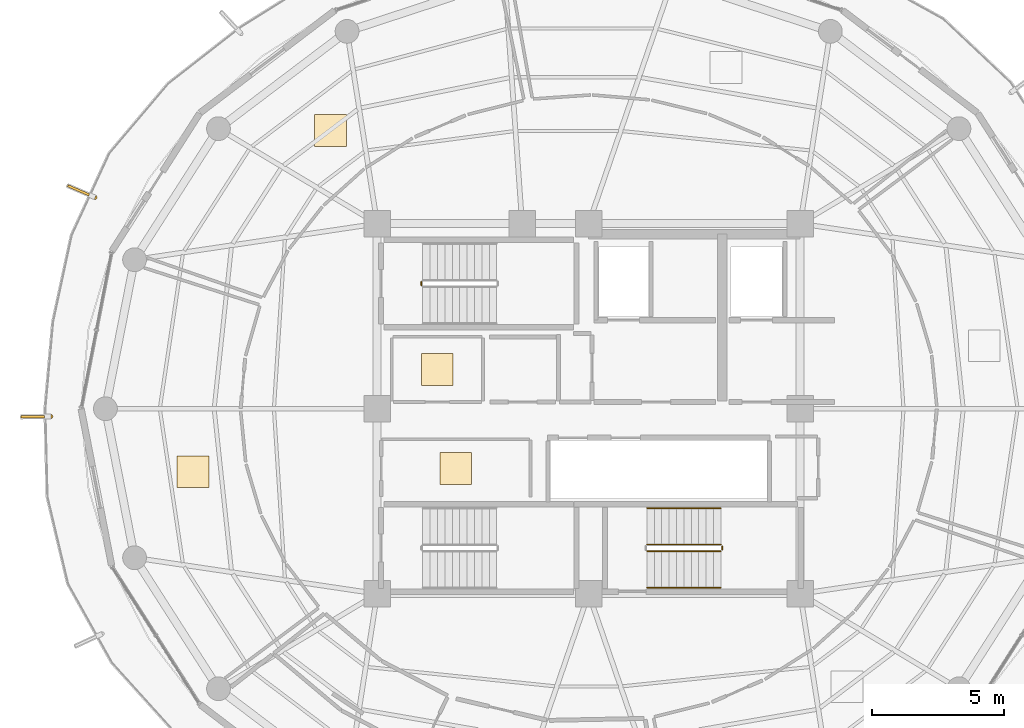
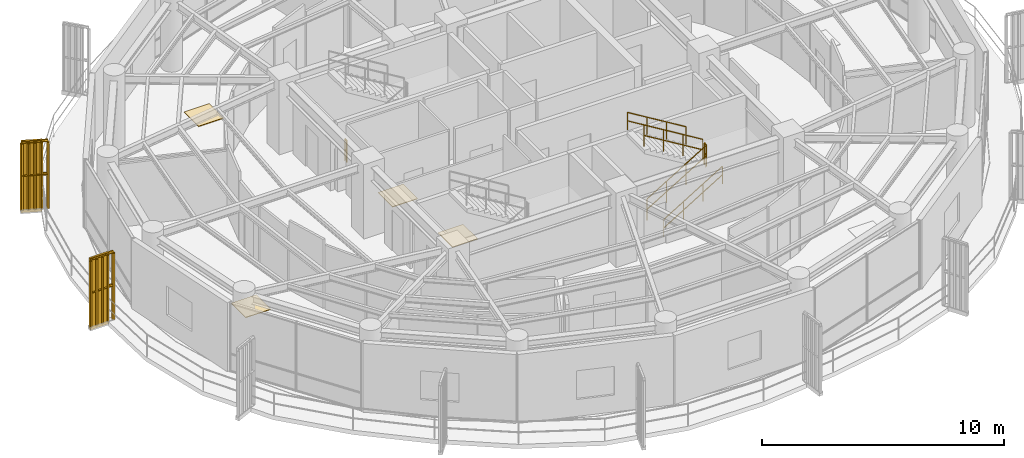
# One storey, part 21 of 23: 8 railings, 4 coverings, 2 shading devices.
"""IFC4 building model written with IfcOpenShell, lengths in metres."""

import ifcopenshell
import ifcopenshell.guid

model = None  # the IFC model being written
_history = None  # IfcOwnerHistory: only IFC2X3 demands one
_inside = {}  # id of a spatial element -> (the spatial element, [elements in it])
_under = {}  # id of a project, library or spatial element -> (it, [spatial elements below it])
_declared = {}  # id of a project -> (the project, [libraries it declares])
_typed = {}  # id of a type object -> (the type object, [elements of that type])
_made_of = {}  # id of a material, layer set ... -> (it, [elements and type objects made of it])


def new_model(schema):
    """Start an empty IFC model of exactly this schema.

    Asked for "IFC4X3", IfcOpenShell would pick the latest addendum, in which some entities
    have other attributes; the version numbers below select the first issue.
    IFC2X3 requires an IfcOwnerHistory on every rooted entity: one is made here for all.
    """
    global model, _history
    if schema == "IFC4X3":
        model = ifcopenshell.file(schema_version=(4, 3, 0, 0))
    else:
        model = ifcopenshell.file(schema=schema)
    _inside.clear()
    _under.clear()
    _declared.clear()
    _typed.clear()
    _made_of.clear()
    _history = None
    if model.schema == "IFC2X3":
        org = make("IfcOrganization", Name="unknown")
        user = make(
            "IfcPersonAndOrganization",
            ThePerson=make("IfcPerson", FamilyName="unknown"),
            TheOrganization=org,
        )
        app = make(
            "IfcApplication",
            ApplicationDeveloper=org,
            Version="unknown",
            ApplicationFullName="unknown",
            ApplicationIdentifier="unknown",
        )
        _history = make(
            "IfcOwnerHistory",
            OwningUser=user,
            OwningApplication=app,
            ChangeAction="ADDED",
            CreationDate=0,
        )
    return model


def make(cls, **values):
    """One entity of the class cls with the attributes given. An attribute that is None is left unset."""
    return model.create_entity(
        cls, **{name: value for name, value in values.items() if value is not None}
    )


def rooted(cls, **values):
    """An entity with a GlobalId (a new one), such as an element, a storey or a relation."""
    return make(cls, GlobalId=ifcopenshell.guid.new(), OwnerHistory=_history, **values)


def si_unit(unit_type, name, prefix=None):
    """IfcSIUnit, for example si_unit("LENGTHUNIT", "METRE", prefix="MILLI")."""
    return make("IfcSIUnit", UnitType=unit_type, Prefix=prefix, Name=name)


def assignment(units):
    """IfcUnitAssignment: the units of a project."""
    return None if units is None else make("IfcUnitAssignment", Units=units)


def point(xyz):
    """IfcCartesianPoint."""
    return None if xyz is None else make("IfcCartesianPoint", Coordinates=xyz)


def direction(xyz):
    """IfcDirection."""
    return None if xyz is None else make("IfcDirection", DirectionRatios=xyz)


def frame(location, z_axis=None, x_axis=None):
    """IfcAxis2Placement3D, a coordinate frame: its origin and axes. An axis left out is left unset."""
    return make(
        "IfcAxis2Placement3D",
        Location=point(location),
        Axis=direction(z_axis),
        RefDirection=direction(x_axis),
    )


def frame_2d(location, x_axis=None):
    """IfcAxis2Placement2D, a coordinate frame in the plane: its origin and x axis."""
    return make(
        "IfcAxis2Placement2D", Location=point(location), RefDirection=direction(x_axis)
    )


def origin():
    """The frame at (0, 0, 0) with its axes left unset."""
    return frame((0.0, 0.0, 0.0))


def origin_2d():
    """The frame at (0, 0) in the plane with its x axis left unset."""
    return frame_2d((0.0, 0.0))


def place(relative_to, where):
    """IfcLocalPlacement: puts the frame where relative to a parent placement (None: the world)."""
    return make(
        "IfcLocalPlacement", PlacementRelTo=relative_to, RelativePlacement=where
    )


def context(
    kind, dimensions, precision=None, world=None, true_north=None, identifier=None
):
    """IfcGeometricRepresentationContext, for example the 3D "Model" context."""
    return make(
        "IfcGeometricRepresentationContext",
        ContextIdentifier=identifier,
        ContextType=kind,
        CoordinateSpaceDimension=dimensions,
        Precision=precision,
        WorldCoordinateSystem=world,
        TrueNorth=true_north,
    )


def subcontext(parent, identifier, kind, view, scale=None):
    """IfcGeometricRepresentationSubContext, for example "Body" below "Model"."""
    return make(
        "IfcGeometricRepresentationSubContext",
        ContextIdentifier=identifier,
        ContextType=kind,
        ParentContext=parent,
        TargetScale=scale,
        TargetView=view,
    )


def project(units=None, contexts=None):
    """IfcProject with its units and contexts."""
    return rooted(
        "IfcProject",
        Name="project",
        RepresentationContexts=contexts,
        UnitsInContext=assignment(units),
    )


def spatial(cls, under=None, at=None, **own):
    """A site, building, storey or space (cls), placed at a placement, below another one or the project."""
    s = rooted(cls, ObjectPlacement=at, **own)
    if under is not None:
        _under.setdefault(under.id(), (under, []))[1].append(s)
    return s


def polyline(points):
    """IfcPolyline through the points."""
    return make("IfcPolyline", Points=[point(p) for p in points])


def profile(cls, at=None, kind="AREA", **sizes):
    """A parametric profile (cls). Its sizes go by their IFC names, for example OverallWidth=200.0."""
    return make(cls, ProfileType=kind, Position=at, **sizes)


def rectangle(**sizes):
    """IfcRectangleProfileDef."""
    return profile("IfcRectangleProfileDef", **sizes)


def outline(outer, holes=None, kind="AREA"):
    """IfcArbitraryClosedProfileDef: a profile drawn as a closed curve; with holes, ...WithVoids."""
    if holes is None:
        return make("IfcArbitraryClosedProfileDef", ProfileType=kind, OuterCurve=outer)
    return make(
        "IfcArbitraryProfileDefWithVoids",
        ProfileType=kind,
        OuterCurve=outer,
        InnerCurves=holes,
    )


def extrude(swept, where, along, depth):
    """IfcExtrudedAreaSolid: the profile swept, set in the frame where, extruded along a direction by depth."""
    return make(
        "IfcExtrudedAreaSolid",
        SweptArea=swept,
        Position=where,
        ExtrudedDirection=direction(along),
        Depth=depth,
    )


def shape(context_of_items, identifier, shape_type, items):
    """IfcShapeRepresentation: the items that make up one representation, for example the "Body"."""
    return make(
        "IfcShapeRepresentation",
        ContextOfItems=context_of_items,
        RepresentationIdentifier=identifier,
        RepresentationType=shape_type,
        Items=items,
    )


def source(mapping_origin, context_of_items, identifier, shape_type, items):
    """IfcRepresentationMap: a shape defined once, which mapped items show again and again."""
    return make(
        "IfcRepresentationMap",
        MappingOrigin=mapping_origin,
        MappedRepresentation=shape(context_of_items, identifier, shape_type, items),
    )


def transform(
    local_origin,
    x_axis=None,
    y_axis=None,
    z_axis=None,
    scale=None,
    scale2=None,
    scale3=None,
    uniform=True,
):
    """IfcCartesianTransformationOperator3D, or its non-uniform kind. x_axis, y_axis, z_axis: its Axis1, 2, 3."""
    if uniform:
        return make(
            "IfcCartesianTransformationOperator3D",
            Axis1=direction(x_axis),
            Axis2=direction(y_axis),
            LocalOrigin=point(local_origin),
            Scale=scale,
            Axis3=direction(z_axis),
        )
    return make(
        "IfcCartesianTransformationOperator3DnonUniform",
        Axis1=direction(x_axis),
        Axis2=direction(y_axis),
        LocalOrigin=point(local_origin),
        Scale=scale,
        Axis3=direction(z_axis),
        Scale2=scale2,
        Scale3=scale3,
    )


def mapped(mapping_source, mapping_target):
    """IfcMappedItem: shows the shape of a source again, moved by a transform."""
    return make(
        "IfcMappedItem", MappingSource=mapping_source, MappingTarget=mapping_target
    )


def material(Name=None, Category=None):
    """IfcMaterial."""
    return make("IfcMaterial", Name=Name, Category=Category)


def layer(
    of_material, thickness, ventilated=None, Name=None, Category=None, Priority=None
):
    """IfcMaterialLayer: one layer of a wall or slab, of a material (None: an air gap)."""
    return make(
        "IfcMaterialLayer",
        Material=of_material,
        LayerThickness=thickness,
        IsVentilated=ventilated,
        Name=Name,
        Category=Category,
        Priority=Priority,
    )


def layer_set(layers, Name=None):
    """IfcMaterialLayerSet."""
    return make("IfcMaterialLayerSet", MaterialLayers=layers, LayerSetName=Name)


def made_of(thing, what):
    """Note that an element or type object is made of a material, layer set ...; save() writes the relation."""
    if what is not None:
        _made_of.setdefault(what.id(), (what, []))[1].append(thing)
    return thing


def type_object(cls, material=None, **own):
    """A type object (cls), such as IfcWallType, which elements share."""
    return made_of(rooted(cls, **own), material)


def element(
    cls,
    number,
    at=None,
    inside=None,
    cuts=None,
    type_object=None,
    material=None,
    context=None,
    identifier="Body",
    shape_type=None,
    held_by="IfcProductDefinitionShape",
    body=None,
    shapes=None,
    **own,
):
    """One element of the class cls, such as IfcWall. Its Tag is "e" and its number.

    at: its placement. inside: the storey or other place that contains it. cuts: it is an
    opening in that element (IfcRelVoidsElement). A single representation is given by context,
    identifier, shape_type and body (its items); several are given by shapes. held_by: the class
    of the entity that holds the representations. save() writes the other relations.
    """
    e = rooted(cls, Tag="e%d" % number, ObjectPlacement=at, **own)
    if body is not None:
        shapes = [shape(context, identifier, shape_type, body)]
    if shapes is not None:
        e.Representation = make(held_by, Representations=shapes)
    if inside is not None:
        _inside.setdefault(inside.id(), (inside, []))[1].append(e)
    if cuts is not None:
        rooted(
            "IfcRelVoidsElement", RelatingBuildingElement=cuts, RelatedOpeningElement=e
        )
    if type_object is not None:
        _typed.setdefault(type_object.id(), (type_object, []))[1].append(e)
    return made_of(e, material)


def aggregate(whole, parts):
    """IfcRelAggregates: a whole, such as a stair, and the parts it consists of."""
    return rooted("IfcRelAggregates", RelatingObject=whole, RelatedObjects=parts)


def save(model, path):
    """Write the relations noted so far, then the file.

    IfcRelAggregates (storeys below a building ...), IfcRelContainedInSpatialStructure (elements
    in a storey), IfcRelDefinesByType, IfcRelAssociatesMaterial and IfcRelDeclares: one each for
    every whole, place, type object, material and project.
    """
    for whole, parts in _under.values():
        aggregate(whole, parts)
    for where, things in _inside.values():
        rooted(
            "IfcRelContainedInSpatialStructure",
            RelatedElements=things,
            RelatingStructure=where,
        )
    for kind, things in _typed.values():
        rooted("IfcRelDefinesByType", RelatedObjects=things, RelatingType=kind)
    for what, things in _made_of.values():
        rooted("IfcRelAssociatesMaterial", RelatedObjects=things, RelatingMaterial=what)
    for by, libraries in _declared.values():
        rooted("IfcRelDeclares", RelatingContext=by, RelatedDefinitions=libraries)
    model.write(path)


model = new_model("IFC4")

# Units and contexts
model_context = context("Model", 3, precision=1e-05, world=origin(), true_north=direction((0.0, 1.0)))
body_context = subcontext(model_context, "Body", "Model", "MODEL_VIEW")
ifc_project = project(units=[si_unit("LENGTHUNIT", "METRE"), si_unit("AREAUNIT", "SQUARE_METRE"), si_unit("VOLUMEUNIT", "CUBIC_METRE"), si_unit("PLANEANGLEUNIT", "RADIAN"), si_unit("MASSUNIT", "GRAM", prefix="KILO")], contexts=[model_context])

# Site, building, storey
site_placement = place(None, origin())
site = spatial("IfcSite", under=ifc_project, at=site_placement, CompositionType="ELEMENT")
building_placement = place(site_placement, origin())
building = spatial("IfcBuilding", under=site, at=building_placement, Name="Kelanora Arch Commons", CompositionType="ELEMENT")
storey_placement = place(building_placement, frame((0.0, 0.0, 282.449951171875)))
storey = spatial("IfcBuildingStorey", under=building, at=storey_placement, Name="L72", CompositionType="ELEMENT", Elevation=282.449951171875)

# Railings
ifc_material_1 = material(Name="Anodised bronze vertical shading fin rib assembly")
railing_type_1 = type_object("IfcRailingType", Name="RAIL-FIN-BRZ", PredefinedType="BALUSTRADE", material=ifc_material_1)
railing_1_placement = place(storey_placement, frame((55.33154296875, 65.9912109375, -0.02001953125)))
element("IfcRailing", 1, at=railing_1_placement, inside=storey, type_object=railing_type_1, Name="Sweeping Bronze Vertical Fin Blade L72-07", PredefinedType="BALUSTRADE", context=body_context, shape_type="SweptSolid", body=[
    extrude(outline(polyline([(0.06982421875, 0.0), (0.034912109375, 0.060546875), (-0.034912109375, 0.060546875), (-0.06982421875, 0.0), (-0.034912109375, -0.060546875), (0.034912109375, -0.060546875), (0.06982421875, 0.0)])), frame((0.0, 0.0, 3.419921875), z_axis=(-0.919318315862, 0.393514719065, 0.0), x_axis=(-0.393514719065, -0.919318315862, 0.0)), (0.0, 0.0, 1.0), 1.092529296875),
    extrude(outline(polyline([(0.06982421875, 0.0), (0.034912109375, 0.060546875), (-0.034912109375, 0.060546875), (-0.06982421875, 0.0), (-0.034912109375, -0.060546875), (0.034912109375, -0.060546875), (0.06982421875, 0.0)])), frame((0.0, 0.0, 1.7451171875), z_axis=(-0.919318315862, 0.393514719065, 0.0), x_axis=(-0.393514719065, -0.919318315862, 0.0)), (0.0, 0.0, 1.0), 1.092529296875),
    extrude(outline(polyline([(0.080078125, 0.0), (0.0400390625, 0.0693359375), (-0.0400390625, 0.0693359375), (-0.080078125, 0.0), (-0.0400390625, -0.0693359375), (0.0400390625, -0.0693359375), (0.080078125, 0.0)])), origin(), (0.0, 0.0, 1.0), 3.35009765625),
    extrude(outline(polyline([(0.080078125, 0.0), (0.0400390625, 0.0693359375), (-0.0400390625, 0.0693359375), (-0.080078125, 0.0), (-0.0400390625, -0.0693359375), (0.0400390625, -0.0693359375), (0.080078125, 0.0)])), frame((-0.2509765625, 0.107421875, 0.0)), (0.0, 0.0, 1.0), 3.35009765625),
    extrude(outline(polyline([(0.080078125, 0.0), (0.0400390625, 0.0693359375), (-0.0400390625, 0.0693359375), (-0.080078125, 0.0), (-0.0400390625, -0.0693359375), (0.0400390625, -0.0693359375), (0.080078125, 0.0)])), frame((-0.502197265625, 0.21484375, 0.0)), (0.0, 0.0, 1.0), 3.35009765625),
    extrude(outline(polyline([(0.080078125, 0.0), (0.0400390625, 0.0693359375), (-0.0400390625, 0.0693359375), (-0.080078125, 0.0), (-0.0400390625, -0.0693359375), (0.0400390625, -0.0693359375), (0.080078125, 0.0)])), frame((-0.75341796875, 0.322509765625, 0.0)), (0.0, 0.0, 1.0), 3.35009765625),
    extrude(outline(polyline([(0.080078125, 0.0), (0.0400390625, 0.0693359375), (-0.0400390625, 0.0693359375), (-0.080078125, 0.0), (-0.0400390625, -0.0693359375), (0.0400390625, -0.0693359375), (0.080078125, 0.0)])), frame((-1.00439453125, 0.429931640625, 0.0)), (0.0, 0.0, 1.0), 3.35009765625),
])
railing_2_placement = place(storey_placement, frame((53.66162109375, 57.706787109375, -0.02001953125)))
element("IfcRailing", 2, at=railing_2_placement, inside=storey, type_object=railing_type_1, Name="Sweeping Bronze Vertical Fin Blade L72-08", PredefinedType="BALUSTRADE", context=body_context, shape_type="SweptSolid", body=[
    extrude(outline(polyline([(0.06982421875, 0.0), (0.034912109375, 0.060546875), (-0.034912109375, 0.060546875), (-0.06982421875, 0.0), (-0.034912109375, -0.060546875), (0.034912109375, -0.060546875), (0.06982421875, 0.0)])), frame((0.0, 0.0, 3.419921875), z_axis=(-0.999894526848, -0.014523607653, 0.0), x_axis=(0.014523607653, -0.999894526848, 0.0)), (0.0, 0.0, 1.0), 1.092529296875),
    extrude(outline(polyline([(0.06982421875, 0.0), (0.034912109375, 0.060546875), (-0.034912109375, 0.060546875), (-0.06982421875, 0.0), (-0.034912109375, -0.060546875), (0.034912109375, -0.060546875), (0.06982421875, 0.0)])), frame((0.0, 0.0, 1.7451171875), z_axis=(-0.999894526848, -0.014523607653, 0.0), x_axis=(0.014523607653, -0.999894526848, 0.0)), (0.0, 0.0, 1.0), 1.092529296875),
    extrude(outline(polyline([(0.080078125, 0.0), (0.0400390625, 0.0693359375), (-0.0400390625, 0.0693359375), (-0.080078125, 0.0), (-0.0400390625, -0.0693359375), (0.0400390625, -0.0693359375), (0.080078125, 0.0)])), origin(), (0.0, 0.0, 1.0), 3.35009765625),
    extrude(outline(polyline([(0.080078125, 0.0), (0.0400390625, 0.0693359375), (-0.0400390625, 0.0693359375), (-0.080078125, 0.0), (-0.0400390625, -0.0693359375), (0.0400390625, -0.0693359375), (0.080078125, 0.0)])), frame((-0.273193359375, -0.00390625, 0.0)), (0.0, 0.0, 1.0), 3.35009765625),
    extrude(outline(polyline([(0.080078125, 0.0), (0.0400390625, 0.0693359375), (-0.0400390625, 0.0693359375), (-0.080078125, 0.0), (-0.0400390625, -0.0693359375), (0.0400390625, -0.0693359375), (0.080078125, 0.0)])), frame((-0.54638671875, -0.0078125, 0.0)), (0.0, 0.0, 1.0), 3.35009765625),
    extrude(outline(polyline([(0.080078125, 0.0), (0.0400390625, 0.0693359375), (-0.0400390625, 0.0693359375), (-0.080078125, 0.0), (-0.0400390625, -0.0693359375), (0.0400390625, -0.0693359375), (0.080078125, 0.0)])), frame((-0.8193359375, -0.011962890625, 0.0)), (0.0, 0.0, 1.0), 3.35009765625),
    extrude(outline(polyline([(0.080078125, 0.0), (0.0400390625, 0.0693359375), (-0.0400390625, 0.0693359375), (-0.080078125, 0.0), (-0.0400390625, -0.0693359375), (0.0400390625, -0.0693359375), (0.080078125, 0.0)])), frame((-1.092529296875, -0.015869140625, 0.0)), (0.0, 0.0, 1.0), 3.35009765625),
])
ifc_material_2 = material(Name="Painted steel stair well guard", Category="steel")
railing_type_2 = type_object("IfcRailingType", Name="RAIL-STAIR-GRD", PredefinedType="GUARDRAIL", material=ifc_material_2)
railing_3_placement = place(storey_placement, frame((67.669921875, 62.659912109375, 0.0)))
element("IfcRailing", 3, at=railing_3_placement, inside=storey, type_object=railing_type_2, Name="L72 ST-T1 stair guard 4", PredefinedType="GUARDRAIL", context=body_context, shape_type="SweptSolid", body=[
    extrude(outline(polyline([(0.02392578125, 0.0), (0.011962890625, 0.020751953125), (-0.011962890625, 0.020751953125), (-0.02392578125, 0.0), (-0.011962890625, -0.020751953125), (0.011962890625, -0.020751953125), (0.02392578125, 0.0)])), frame((0.0, 0.0, 1.076171875), z_axis=(0.0, 1.0, 0.0), x_axis=(-1.0, 0.0, 0.0)), (0.0, 0.0, 1.0), 0.150146484375),
    extrude(outline(polyline([(0.02392578125, 0.0), (0.011962890625, 0.020751953125), (-0.011962890625, 0.020751953125), (-0.02392578125, 0.0), (-0.011962890625, -0.020751953125), (0.011962890625, -0.020751953125), (0.02392578125, 0.0)])), frame((0.0, 0.0, 0.550048828125), z_axis=(0.0, 1.0, 0.0), x_axis=(-1.0, 0.0, 0.0)), (0.0, 0.0, 1.0), 0.150146484375),
    extrude(outline(polyline([(0.02099609375, 0.0), (0.010498046875, 0.01806640625), (-0.010498046875, 0.01806640625), (-0.02099609375, 0.0), (-0.010498046875, -0.01806640625), (0.010498046875, -0.01806640625), (0.02099609375, 0.0)])), origin(), (0.0, 0.0, 1.0), 1.052001953125),
    extrude(outline(polyline([(0.02099609375, 0.0), (0.010498046875, 0.01806640625), (-0.010498046875, 0.01806640625), (-0.02099609375, 0.0), (-0.010498046875, -0.01806640625), (0.010498046875, -0.01806640625), (0.02099609375, 0.0)])), frame((0.0, 0.150146484375, 0.0)), (0.0, 0.0, 1.0), 1.052001953125),
])
railing_4_placement = place(storey_placement, frame((76.199951171875, 52.610107421875, 0.17041015625)))
element("IfcRailing", 4, at=railing_4_placement, inside=storey, type_object=railing_type_2, Name="L72 ST-T2 stair guard 1", PredefinedType="GUARDRAIL", context=body_context, shape_type="SweptSolid", body=[
    extrude(outline(polyline([(0.02392578125, 0.0), (0.011962890625, 0.020751953125), (-0.011962890625, 0.020751953125), (-0.02392578125, 0.0), (-0.011962890625, -0.020751953125), (0.011962890625, -0.020751953125), (0.02392578125, 0.0)])), frame((0.0, 0.0, 1.076171875), z_axis=(0.854169791009, 0.0, 0.51999420009), x_axis=(0.0, 1.0, 0.0)), (0.0, 0.0, 1.0), 3.278076171875),
    extrude(outline(polyline([(0.02392578125, 0.0), (0.011962890625, 0.020751953125), (-0.011962890625, 0.020751953125), (-0.02392578125, 0.0), (-0.011962890625, -0.020751953125), (0.011962890625, -0.020751953125), (0.02392578125, 0.0)])), frame((0.0, 0.0, 0.550048828125), z_axis=(0.854169791009, 0.0, 0.51999420009), x_axis=(0.0, 1.0, 0.0)), (0.0, 0.0, 1.0), 3.278076171875),
    extrude(outline(polyline([(0.02099609375, 0.0), (0.010498046875, 0.01806640625), (-0.010498046875, 0.01806640625), (-0.02099609375, 0.0), (-0.010498046875, -0.01806640625), (0.010498046875, -0.01806640625), (0.02099609375, 0.0)])), origin(), (0.0, 0.0, 1.0), 1.052001953125),
    extrude(outline(polyline([(0.02099609375, 0.0), (0.010498046875, 0.01806640625), (-0.010498046875, 0.01806640625), (-0.02099609375, 0.0), (-0.010498046875, -0.01806640625), (0.010498046875, -0.01806640625), (0.02099609375, 0.0)])), frame((0.933349609375, 0.0, 0.568115234375)), (0.0, 0.0, 1.0), 1.052001953125),
    extrude(outline(polyline([(0.02099609375, 0.0), (0.010498046875, 0.01806640625), (-0.010498046875, 0.01806640625), (-0.02099609375, 0.0), (-0.010498046875, -0.01806640625), (0.010498046875, -0.01806640625), (0.02099609375, 0.0)])), frame((1.86669921875, 0.0, 1.136474609375)), (0.0, 0.0, 1.0), 1.052001953125),
    extrude(outline(polyline([(0.02099609375, 0.0), (0.010498046875, 0.01806640625), (-0.010498046875, 0.01806640625), (-0.02099609375, 0.0), (-0.010498046875, -0.01806640625), (0.010498046875, -0.01806640625), (0.02099609375, 0.0)])), frame((2.800048828125, 0.0, 1.70458984375)), (0.0, 0.0, 1.0), 1.052001953125),
])
railing_5_placement = place(storey_placement, frame((79.050048828125, 52.659912109375, 1.875)))
element("IfcRailing", 5, at=railing_5_placement, inside=storey, type_object=railing_type_2, Name="L72 ST-T2 stair guard 2", PredefinedType="GUARDRAIL", context=body_context, shape_type="SweptSolid", body=[
    extrude(outline(polyline([(0.02392578125, 0.0), (0.011962890625, 0.020751953125), (-0.011962890625, 0.020751953125), (-0.02392578125, 0.0), (-0.011962890625, -0.020751953125), (0.011962890625, -0.020751953125), (0.02392578125, 0.0)])), frame((0.0, 0.0, 1.076171875), z_axis=(0.0, 1.0, 0.0), x_axis=(-1.0, 0.0, 0.0)), (0.0, 0.0, 1.0), 0.150146484375),
    extrude(outline(polyline([(0.02392578125, 0.0), (0.011962890625, 0.020751953125), (-0.011962890625, 0.020751953125), (-0.02392578125, 0.0), (-0.011962890625, -0.020751953125), (0.011962890625, -0.020751953125), (0.02392578125, 0.0)])), frame((0.0, 0.0, 0.550048828125), z_axis=(0.0, 1.0, 0.0), x_axis=(-1.0, 0.0, 0.0)), (0.0, 0.0, 1.0), 0.150146484375),
    extrude(outline(polyline([(0.02099609375, 0.0), (0.010498046875, 0.01806640625), (-0.010498046875, 0.01806640625), (-0.02099609375, 0.0), (-0.010498046875, -0.01806640625), (0.010498046875, -0.01806640625), (0.02099609375, 0.0)])), origin(), (0.0, 0.0, 1.0), 1.052001953125),
    extrude(outline(polyline([(0.02099609375, 0.0), (0.010498046875, 0.01806640625), (-0.010498046875, 0.01806640625), (-0.02099609375, 0.0), (-0.010498046875, -0.01806640625), (0.010498046875, -0.01806640625), (0.02099609375, 0.0)])), frame((0.0, 0.150146484375, 0.0)), (0.0, 0.0, 1.0), 1.052001953125),
])
railing_6_placement = place(storey_placement, frame((79.0, 52.860107421875, 2.04541015625)))
element("IfcRailing", 6, at=railing_6_placement, inside=storey, type_object=railing_type_2, Name="L72 ST-T2 stair guard 3", PredefinedType="GUARDRAIL", context=body_context, shape_type="SweptSolid", body=[
    extrude(outline(polyline([(0.02392578125, 0.0), (0.011962890625, 0.020751953125), (-0.011962890625, 0.020751953125), (-0.02392578125, 0.0), (-0.011962890625, -0.020751953125), (0.011962890625, -0.020751953125), (0.02392578125, 0.0)])), frame((0.0, 0.0, 1.076171875), z_axis=(-0.854169791009, 0.0, 0.51999420009), x_axis=(0.0, -1.0, 0.0)), (0.0, 0.0, 1.0), 3.278076171875),
    extrude(outline(polyline([(0.02392578125, 0.0), (0.011962890625, 0.020751953125), (-0.011962890625, 0.020751953125), (-0.02392578125, 0.0), (-0.011962890625, -0.020751953125), (0.011962890625, -0.020751953125), (0.02392578125, 0.0)])), frame((0.0, 0.0, 0.550048828125), z_axis=(-0.854169791009, 0.0, 0.51999420009), x_axis=(0.0, -1.0, 0.0)), (0.0, 0.0, 1.0), 3.278076171875),
    extrude(outline(polyline([(0.02099609375, 0.0), (0.010498046875, 0.01806640625), (-0.010498046875, 0.01806640625), (-0.02099609375, 0.0), (-0.010498046875, -0.01806640625), (0.010498046875, -0.01806640625), (0.02099609375, 0.0)])), origin(), (0.0, 0.0, 1.0), 1.052001953125),
    extrude(outline(polyline([(0.02099609375, 0.0), (0.010498046875, 0.01806640625), (-0.010498046875, 0.01806640625), (-0.02099609375, 0.0), (-0.010498046875, -0.01806640625), (0.010498046875, -0.01806640625), (0.02099609375, 0.0)])), frame((-0.933349609375, 0.0, 0.568115234375)), (0.0, 0.0, 1.0), 1.052001953125),
    extrude(outline(polyline([(0.02099609375, 0.0), (0.010498046875, 0.01806640625), (-0.010498046875, 0.01806640625), (-0.02099609375, 0.0), (-0.010498046875, -0.01806640625), (0.010498046875, -0.01806640625), (0.02099609375, 0.0)])), frame((-1.86669921875, 0.0, 1.136474609375)), (0.0, 0.0, 1.0), 1.052001953125),
    extrude(outline(polyline([(0.02099609375, 0.0), (0.010498046875, 0.01806640625), (-0.010498046875, 0.01806640625), (-0.02099609375, 0.0), (-0.010498046875, -0.01806640625), (0.010498046875, -0.01806640625), (0.02099609375, 0.0)])), frame((-2.800048828125, 0.0, 1.70458984375)), (0.0, 0.0, 1.0), 1.052001953125),
])
ifc_material_3 = material(Name="Brushed stainless steel stair handrail", Category="steel")
railing_type_3 = type_object("IfcRailingType", Name="RAIL-STAIR-HND", PredefinedType="HANDRAIL", material=ifc_material_3)
railing_7_placement = place(storey_placement, frame((76.199951171875, 51.22998046875, 0.17041015625)))
element("IfcRailing", 7, at=railing_7_placement, inside=storey, type_object=railing_type_3, Name="L72 ST-T2 stair handrail 1", PredefinedType="HANDRAIL", context=body_context, shape_type="SweptSolid", body=[
    extrude(outline(polyline([(0.02392578125, 0.0), (0.011962890625, 0.020751953125), (-0.011962890625, 0.020751953125), (-0.02392578125, 0.0), (-0.011962890625, -0.020751953125), (0.011962890625, -0.020751953125), (0.02392578125, 0.0)])), frame((0.0, 0.0, 0.8759765625), z_axis=(0.854169791009, 0.0, 0.51999420009), x_axis=(0.0, 1.0, 0.0)), (0.0, 0.0, 1.0), 3.278076171875),
    extrude(outline(polyline([(0.02392578125, 0.0), (0.011962890625, 0.020751953125), (-0.011962890625, 0.020751953125), (-0.02392578125, 0.0), (-0.011962890625, -0.020751953125), (0.011962890625, -0.020751953125), (0.02392578125, 0.0)])), frame((0.0, 0.0, 0.449951171875), z_axis=(0.854169791009, 0.0, 0.51999420009), x_axis=(0.0, 1.0, 0.0)), (0.0, 0.0, 1.0), 3.278076171875),
    extrude(outline(polyline([(0.02099609375, 0.0), (0.010498046875, 0.01806640625), (-0.010498046875, 0.01806640625), (-0.02099609375, 0.0), (-0.010498046875, -0.01806640625), (0.010498046875, -0.01806640625), (0.02099609375, 0.0)])), origin(), (0.0, 0.0, 1.0), 0.851806640625),
    extrude(outline(polyline([(0.02099609375, 0.0), (0.010498046875, 0.01806640625), (-0.010498046875, 0.01806640625), (-0.02099609375, 0.0), (-0.010498046875, -0.01806640625), (0.010498046875, -0.01806640625), (0.02099609375, 0.0)])), frame((0.933349609375, 0.0, 0.568115234375)), (0.0, 0.0, 1.0), 0.851806640625),
    extrude(outline(polyline([(0.02099609375, 0.0), (0.010498046875, 0.01806640625), (-0.010498046875, 0.01806640625), (-0.02099609375, 0.0), (-0.010498046875, -0.01806640625), (0.010498046875, -0.01806640625), (0.02099609375, 0.0)])), frame((1.86669921875, 0.0, 1.136474609375)), (0.0, 0.0, 1.0), 0.851806640625),
    extrude(outline(polyline([(0.02099609375, 0.0), (0.010498046875, 0.01806640625), (-0.010498046875, 0.01806640625), (-0.02099609375, 0.0), (-0.010498046875, -0.01806640625), (0.010498046875, -0.01806640625), (0.02099609375, 0.0)])), frame((2.800048828125, 0.0, 1.70458984375)), (0.0, 0.0, 1.0), 0.851806640625),
])
railing_8_placement = place(storey_placement, frame((79.0, 54.239990234375, 2.04541015625)))
element("IfcRailing", 8, at=railing_8_placement, inside=storey, type_object=railing_type_3, Name="L72 ST-T2 stair handrail 2", PredefinedType="HANDRAIL", context=body_context, shape_type="SweptSolid", body=[
    extrude(outline(polyline([(0.02392578125, 0.0), (0.011962890625, 0.020751953125), (-0.011962890625, 0.020751953125), (-0.02392578125, 0.0), (-0.011962890625, -0.020751953125), (0.011962890625, -0.020751953125), (0.02392578125, 0.0)])), frame((0.0, 0.0, 0.8759765625), z_axis=(-0.854169791009, 0.0, 0.51999420009), x_axis=(0.0, -1.0, 0.0)), (0.0, 0.0, 1.0), 3.278076171875),
    extrude(outline(polyline([(0.02392578125, 0.0), (0.011962890625, 0.020751953125), (-0.011962890625, 0.020751953125), (-0.02392578125, 0.0), (-0.011962890625, -0.020751953125), (0.011962890625, -0.020751953125), (0.02392578125, 0.0)])), frame((0.0, 0.0, 0.449951171875), z_axis=(-0.854169791009, 0.0, 0.51999420009), x_axis=(0.0, -1.0, 0.0)), (0.0, 0.0, 1.0), 3.278076171875),
    extrude(outline(polyline([(0.02099609375, 0.0), (0.010498046875, 0.01806640625), (-0.010498046875, 0.01806640625), (-0.02099609375, 0.0), (-0.010498046875, -0.01806640625), (0.010498046875, -0.01806640625), (0.02099609375, 0.0)])), origin(), (0.0, 0.0, 1.0), 0.851806640625),
    extrude(outline(polyline([(0.02099609375, 0.0), (0.010498046875, 0.01806640625), (-0.010498046875, 0.01806640625), (-0.02099609375, 0.0), (-0.010498046875, -0.01806640625), (0.010498046875, -0.01806640625), (0.02099609375, 0.0)])), frame((-0.933349609375, 0.0, 0.568115234375)), (0.0, 0.0, 1.0), 0.851806640625),
    extrude(outline(polyline([(0.02099609375, 0.0), (0.010498046875, 0.01806640625), (-0.010498046875, 0.01806640625), (-0.02099609375, 0.0), (-0.010498046875, -0.01806640625), (0.010498046875, -0.01806640625), (0.02099609375, 0.0)])), frame((-1.86669921875, 0.0, 1.136474609375)), (0.0, 0.0, 1.0), 0.851806640625),
    extrude(outline(polyline([(0.02099609375, 0.0), (0.010498046875, 0.01806640625), (-0.010498046875, 0.01806640625), (-0.02099609375, 0.0), (-0.010498046875, -0.01806640625), (0.010498046875, -0.01806640625), (0.02099609375, 0.0)])), frame((-2.800048828125, 0.0, 1.70458984375)), (0.0, 0.0, 1.0), 0.851806640625),
])

# Shading devices
ifc_material_4 = material(Name="Terracotta ceramic-clad extruded aluminium fin", Category="masonry")
shading_device_type = type_object("IfcShadingDeviceType", Name="SHD-FIN-FLARE", PredefinedType="USERDEFINED", material=ifc_material_4)
shared_shape_1 = source(origin(), body_context, "Body", "SweptSolid", [
    extrude(rectangle(XDim=0.8798828125, YDim=0.090087890625, at=origin_2d()), origin(), (0.0, 0.0, 1.0), 3.610107421875),
])
for number, where, z_axis, x_axis, name in (
    (9, (54.70068359375, 66.261474609375, -0.14013671875), (0.0, 0.0, 1.0), (-0.919341480754, 0.393460597474, 0.0), "Sweeping Terracotta Fin L72-07"),
    (10, (52.975341796875, 57.697021484375, -0.14013671875), (0.0, 0.0, 1.0), (-0.999895076365, -0.014485726139, 0.0), "Sweeping Terracotta Fin L72-08"),
):
    element("IfcShadingDevice", number, at=place(storey_placement, frame(where, z_axis=z_axis, x_axis=x_axis)), inside=storey, type_object=shading_device_type, Name=name, ObjectType="FIN", PredefinedType="USERDEFINED", context=body_context, shape_type="MappedRepresentation", body=[
        mapped(shared_shape_1, transform((0.0, 0.0, 0.0), scale=1.0)),
    ])

# Coverings
ifc_material_5 = material(Name="Polished local granite terrazzo flooring", Category="masonry")
ifc_layer = layer(ifc_material_5, 0.030029296875)
ifc_layer_set = layer_set([ifc_layer], Name="Polished local granite terrazzo flooring")
covering_type = type_object("IfcCoveringType", Name="COV-FLR-TER", PredefinedType="FLOORING", material=ifc_layer_set)
shared_shape_2 = source(origin(), body_context, "Body", "SweptSolid", [
    extrude(rectangle(XDim=1.199951171875, YDim=1.199951171875, at=origin_2d()), origin(), (0.0, 0.0, 1.0), 0.030029296875),
])
for number, where, z_axis, x_axis, name in (
    (11, (68.27490234375, 59.485107421875, 0.0), (0.0, 0.0, 1.0), (1.0, 0.0, 0.0), "Reclaimed Core Quiet Phone Booths L72 Terrazzo Finish"),
    (12, (68.97509765625, 55.735107421875, 0.0), (0.0, 0.0, 1.0), (1.0, 0.0, 0.0), "Reclaimed Core High-Zone Pantry and Copy Room L72 Terrazzo Finish"),
    (13, (64.233154296875, 68.52001953125, 0.0), (0.0, 0.0, 1.0), (1.0, 0.0, 0.0), "Communal Dining and Social Hall L72-01 Terrazzo Finish"),
    (14, (59.03662109375, 55.615478515625, 0.0), (0.0, 0.0, 1.0), (1.0, 0.0, 0.0), "Social Sky Lounge L72-02 Terrazzo Finish"),
):
    element("IfcCovering", number, at=place(storey_placement, frame(where, z_axis=z_axis, x_axis=x_axis)), inside=storey, type_object=covering_type, Name=name, PredefinedType="FLOORING", context=body_context, shape_type="MappedRepresentation", body=[
        mapped(shared_shape_2, transform((0.0, 0.0, 0.0), scale=1.0)),
    ])

save(model, "model.ifc")
